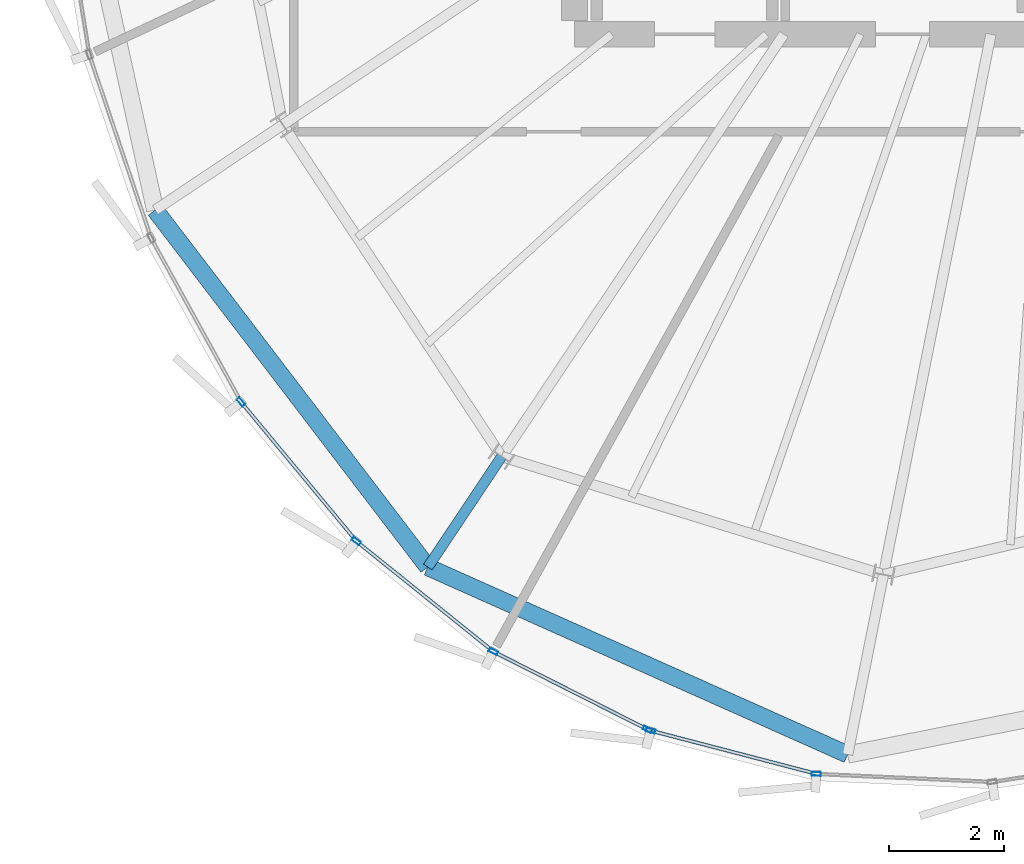
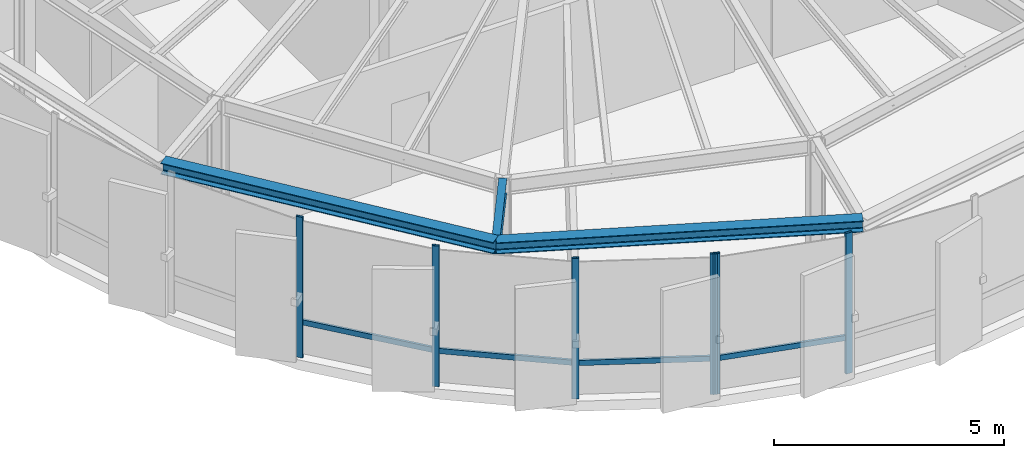
# One storey, part 2 of 27: 10 members, 3 beams, 2 elements without a shape of their own.
"""IFC4 building model written with IfcOpenShell, lengths in metres."""

from ifc_helpers import new_model, si_unit, direction, frame, origin, origin_2d, place, context, subcontext, project, spatial, hollow_rectangle, i_section, extrude, source, transform, mapped, material, layer, layer_set, material_profile, profile_set, type_object, element, aggregate, save


model = new_model("IFC4")

# Units and contexts
model_context = context("Model", 3, precision=1e-05, world=origin(), true_north=direction((0.0, 1.0)))
body_context = subcontext(model_context, "Body", "Model", "MODEL_VIEW")
ifc_project = project(units=[si_unit("LENGTHUNIT", "METRE"), si_unit("AREAUNIT", "SQUARE_METRE"), si_unit("VOLUMEUNIT", "CUBIC_METRE"), si_unit("PLANEANGLEUNIT", "RADIAN"), si_unit("MASSUNIT", "GRAM", prefix="KILO"), si_unit("THERMODYNAMICTEMPERATUREUNIT", "KELVIN")], contexts=[model_context])

# Site, building, storey
site_placement = place(None, origin())
site = spatial("IfcSite", under=ifc_project, at=site_placement, CompositionType="ELEMENT")
building_placement = place(site_placement, origin())
building = spatial("IfcBuilding", under=site, at=building_placement, Name="Kethvar Cultural Tower", CompositionType="ELEMENT")
storey_placement = place(building_placement, frame((0.0, 0.0, 312.300048828125)))
storey = spatial("IfcBuildingStorey", under=building, at=storey_placement, Name="L83", CompositionType="ELEMENT", Elevation=312.300048828125)

# Beams
ifc_material_1 = material(Name="Steel S355J2", Category="steel")
ifc_material_profile_1 = material_profile(ifc_material_1, i_section(OverallWidth=0.179931640625, OverallDepth=0.39990234375, WebThickness=0.008544921875, FlangeThickness=0.013427734375, FilletRadius=0.02099609375, at=origin_2d()), Name="Steel S355J2 — IPE400")
ifc_profile_set_1 = profile_set([ifc_material_profile_1], Name="Steel S355J2 — IPE400")
beam_type_1 = type_object("IfcBeamType", Name="BM-IPE400", PredefinedType="BEAM", material=ifc_profile_set_1)
shared_shape_1 = source(origin(), body_context, "Body", "SweptSolid", [
    extrude(i_section(OverallWidth=0.179931640625, OverallDepth=0.39990234375, WebThickness=0.008544921875, FlangeThickness=0.013427734375, FilletRadius=0.02099609375, at=origin_2d()), origin(), (0.0, 0.0, 1.0), 2.3193359375),
])
beam_1_placement = place(storey_placement, frame((36.731201171875, 12.73095703125, 3.532958984375), z_axis=(-0.555574376595, -0.831466843639, 0.0), x_axis=(0.831466843639, -0.555574376595, 0.0)))
element("IfcBeam", 1, at=beam_1_placement, inside=storey, type_object=beam_type_1, Name="L83 Perimeter Cantilever Beam RC-11", PredefinedType="BEAM", context=body_context, shape_type="MappedRepresentation", body=[
    mapped(shared_shape_1, transform((0.0, 0.0, 0.0), scale=1.0)),
])
ifc_material_profile_2 = material_profile(ifc_material_1, i_section(OverallWidth=0.300048828125, OverallDepth=0.300048828125, WebThickness=0.010986328125, FlangeThickness=0.01904296875, FilletRadius=0.027099609375, at=origin_2d()), Name="Steel S355J2 — HEB300")
ifc_profile_set_2 = profile_set([ifc_material_profile_2], Name="Steel S355J2 — HEB300")
beam_type_2 = type_object("IfcBeamType", Name="BM-SP300", PredefinedType="SPANDREL", material=ifc_profile_set_2)
shared_shape_2 = source(origin(), body_context, "Body", "SweptSolid", [
    extrude(i_section(OverallWidth=0.300048828125, OverallDepth=0.300048828125, WebThickness=0.010986328125, FlangeThickness=0.01904296875, FilletRadius=0.027099609375, at=origin_2d()), origin(), (0.0, 0.0, 1.0), 7.8388671875),
])
beam_2_placement = place(storey_placement, frame((30.68505859375, 17.032470703125, 3.5830078125), z_axis=(0.606923976329, -0.794759892645, 0.0), x_axis=(0.794759892645, 0.606923976329, 0.0)))
element("IfcBeam", 2, at=beam_2_placement, inside=storey, type_object=beam_type_2, Name="L83 Perimeter Spandrel Beam SP-10", PredefinedType="SPANDREL", context=body_context, shape_type="MappedRepresentation", body=[
    mapped(shared_shape_2, transform((0.0, 0.0, 0.0), scale=1.0)),
])
shared_shape_3 = source(origin(), body_context, "Body", "SweptSolid", [
    extrude(i_section(OverallWidth=0.300048828125, OverallDepth=0.300048828125, WebThickness=0.010986328125, FlangeThickness=0.01904296875, FilletRadius=0.027099609375, at=origin_2d()), origin(), (0.0, 0.0, 1.0), 8.0224609375),
])
beam_3_placement = place(storey_placement, frame((35.442626953125, 10.802490234375, 3.5830078125), z_axis=(0.913171661118, -0.407575167706, 0.0), x_axis=(0.407575167706, 0.913171661118, 0.0)))
element("IfcBeam", 3, at=beam_3_placement, inside=storey, type_object=beam_type_2, Name="L83 Perimeter Spandrel Beam SP-11", PredefinedType="SPANDREL", context=body_context, shape_type="MappedRepresentation", body=[
    mapped(shared_shape_3, transform((0.0, 0.0, 0.0), scale=1.0)),
])

# Curtain wall, members
ifc_material_2 = material(Name="Aluminium 6063-T6", Category="aluminium")
ifc_layer = layer(ifc_material_2, 0.179931640625, Name="Aluminium 6063-T6", Category="aluminium")
ifc_layer_set = layer_set([ifc_layer], Name="Aluminium 6063-T6 (180 mm)")
curtain_wall_type = type_object("IfcCurtainWallType", Name="CW-SYS-06-CROWN", PredefinedType="NOTDEFINED", material=ifc_layer_set)
curtain_wall_1_placement = place(storey_placement, origin())
curtain_wall_1 = element("IfcCurtainWall", 4, at=curtain_wall_1_placement, inside=storey, type_object=curtain_wall_type, Name="L83 Curtain Wall Run 03", PredefinedType="NOTDEFINED")
ifc_material_profile_3 = material_profile(ifc_material_2, hollow_rectangle(XDim=0.06494140625, YDim=0.159912109375, WallThickness=0.0048828125, at=origin_2d()), Name="Aluminium 6063-T6 — RHS160x65x5")
ifc_profile_set_3 = profile_set([ifc_material_profile_3], Name="Aluminium 6063-T6 — RHS160x65x5")
member_type_1 = type_object("IfcMemberType", Name="CW-SYS-06-CROWN-MUL", PredefinedType="MULLION", material=ifc_profile_set_3)
shared_shape_4 = source(origin(), body_context, "Body", "SweptSolid", [
    extrude(hollow_rectangle(XDim=0.06494140625, YDim=0.159912109375, WallThickness=0.0048828125, at=origin_2d()), origin(), (0.0, 0.0, 1.0), 3.73486328125),
])
member_1_placement = place(storey_placement, frame((32.18212890625, 13.68505859375, 0.0), z_axis=(0.0, 0.0, 1.0), x_axis=(0.76975619028, 0.638338004137, 0.0)))
member_1 = element("IfcMember", 5, at=member_1_placement, type_object=member_type_1, Name="CW-L83-R03 Mullion 4", PredefinedType="MULLION", context=body_context, shape_type="MappedRepresentation", body=[
    mapped(shared_shape_4, transform((0.0, 0.0, 0.0), scale=1.0)),
])
member_2_placement = place(storey_placement, frame((34.19384765625, 11.255126953125, 0.0), z_axis=(0.0, 0.0, 1.0), x_axis=(0.626617413282, 0.779327028513, 0.0)))
member_2 = element("IfcMember", 6, at=member_2_placement, type_object=member_type_1, Name="CW-L83-R03 Mullion 5", PredefinedType="MULLION", context=body_context, shape_type="MappedRepresentation", body=[
    mapped(shared_shape_4, transform((0.0, 0.0, 0.0), scale=1.0)),
])
member_3_placement = place(storey_placement, frame((36.587158203125, 9.32763671875, 0.0), z_axis=(0.0, 0.0, 1.0), x_axis=(0.450752907804, 0.892648764132, 0.0)))
member_3 = element("IfcMember", 7, at=member_3_placement, type_object=member_type_1, Name="CW-L83-R03 Mullion 6", PredefinedType="MULLION", context=body_context, shape_type="MappedRepresentation", body=[
    mapped(shared_shape_4, transform((0.0, 0.0, 0.0), scale=1.0)),
])
member_4_placement = place(storey_placement, frame((39.275634765625, 7.97021484375, 0.0), z_axis=(0.0, 0.0, 1.0), x_axis=(0.450752907804, 0.892648764132, 0.0)))
member_4 = element("IfcMember", 8, at=member_4_placement, type_object=member_type_1, Name="CW-L83-R03 Mullion 7", PredefinedType="MULLION", context=body_context, shape_type="MappedRepresentation", body=[
    mapped(shared_shape_4, transform((0.0, 0.0, 0.0), scale=1.0)),
])

curtain_wall_2_placement = place(storey_placement, origin())
curtain_wall_2 = element("IfcCurtainWall", 9, at=curtain_wall_2_placement, inside=storey, type_object=curtain_wall_type, Name="L83 Curtain Wall Run 04", PredefinedType="NOTDEFINED")
member_5_placement = place(storey_placement, frame((39.330322265625, 7.949462890625, 0.0), z_axis=(0.0, 0.0, 1.0), x_axis=(0.252221362534, 0.967669563581, 0.0)))
member_5 = element("IfcMember", 10, at=member_5_placement, type_object=member_type_1, Name="CW-L83-R04 Mullion 1", PredefinedType="MULLION", context=body_context, shape_type="MappedRepresentation", body=[
    mapped(shared_shape_4, transform((0.0, 0.0, 0.0), scale=1.0)),
])
member_6_placement = place(storey_placement, frame((42.219970703125, 7.193603515625, 0.0), z_axis=(0.0, 0.0, 1.0), x_axis=(0.045345552797, 0.998971361372, 0.0)))
member_6 = element("IfcMember", 11, at=member_6_placement, type_object=member_type_1, Name="CW-L83-R04 Mullion 2", PredefinedType="MULLION", context=body_context, shape_type="MappedRepresentation", body=[
    mapped(shared_shape_4, transform((0.0, 0.0, 0.0), scale=1.0)),
])

# Member
ifc_material_profile_4 = material_profile(ifc_material_2, hollow_rectangle(XDim=0.06005859375, YDim=0.139892578125, WallThickness=0.0048828125, at=origin_2d()), Name="Aluminium 6063-T6 — RHS140x60x5")
ifc_profile_set_4 = profile_set([ifc_material_profile_4], Name="Aluminium 6063-T6 — RHS140x60x5")
member_type_2 = type_object("IfcMemberType", Name="CW-SYS-06-CROWN-TRN", PredefinedType="USERDEFINED", material=ifc_profile_set_4)
shared_shape_5 = source(origin(), body_context, "Body", "SweptSolid", [
    extrude(hollow_rectangle(XDim=0.06005859375, YDim=0.139892578125, WallThickness=0.0048828125, at=origin_2d()), origin(), (0.0, 0.0, 1.0), 3.084716796875),
])
member_7_placement = place(storey_placement, frame((32.2119140625, 13.64892578125, 0.949951171875), z_axis=(0.638361031844, -0.769737093444, 0.0), x_axis=(0.769737093444, 0.638361031844, 0.0)))
member_7 = element("IfcMember", 12, at=member_7_placement, type_object=member_type_2, Name="CW-L83-R03 Transom 4", ObjectType="TRANSOM", PredefinedType="USERDEFINED", context=body_context, shape_type="MappedRepresentation", body=[
    mapped(shared_shape_5, transform((0.0, 0.0, 0.0), scale=1.0)),
])

shared_shape_6 = source(origin(), body_context, "Body", "SweptSolid", [
    extrude(hollow_rectangle(XDim=0.06005859375, YDim=0.139892578125, WallThickness=0.0048828125, at=origin_2d()), origin(), (0.0, 0.0, 1.0), 3.00439453125),
])
member_8_placement = place(storey_placement, frame((34.23046875, 11.225830078125, 0.949951171875), z_axis=(0.779320422775, -0.626625628782, 0.0), x_axis=(0.626625628782, 0.779320422775, 0.0)))
member_8 = element("IfcMember", 13, at=member_8_placement, type_object=member_type_2, Name="CW-L83-R03 Transom 5", ObjectType="TRANSOM", PredefinedType="USERDEFINED", context=body_context, shape_type="MappedRepresentation", body=[
    mapped(shared_shape_6, transform((0.0, 0.0, 0.0), scale=1.0)),
])

shared_shape_7 = source(origin(), body_context, "Body", "SweptSolid", [
    extrude(hollow_rectangle(XDim=0.06005859375, YDim=0.139892578125, WallThickness=0.0048828125, at=origin_2d()), origin(), (0.0, 0.0, 1.0), 2.960205078125),
])
member_9_placement = place(storey_placement, frame((36.62890625, 9.306396484375, 0.949951171875), z_axis=(0.89267195889, -0.450706971114, 0.0), x_axis=(0.450706971114, 0.89267195889, 0.0)))
member_9 = element("IfcMember", 14, at=member_9_placement, type_object=member_type_2, Name="CW-L83-R03 Transom 6", ObjectType="TRANSOM", PredefinedType="USERDEFINED", context=body_context, shape_type="MappedRepresentation", body=[
    mapped(shared_shape_7, transform((0.0, 0.0, 0.0), scale=1.0)),
])

aggregate(curtain_wall_1, [member_1, member_2, member_3, member_4, member_7, member_8, member_9])

shared_shape_8 = source(origin(), body_context, "Body", "SweptSolid", [
    extrude(hollow_rectangle(XDim=0.06005859375, YDim=0.139892578125, WallThickness=0.0048828125, at=origin_2d()), origin(), (0.0, 0.0, 1.0), 2.960693359375),
])
member_10_placement = place(storey_placement, frame((39.334716796875, 7.9482421875, 0.949951171875), z_axis=(0.967663666944, -0.252243984421, 0.0), x_axis=(0.252243984421, 0.967663666944, 0.0)))
member_10 = element("IfcMember", 15, at=member_10_placement, type_object=member_type_2, Name="CW-L83-R04 Transom 1", ObjectType="TRANSOM", PredefinedType="USERDEFINED", context=body_context, shape_type="MappedRepresentation", body=[
    mapped(shared_shape_8, transform((0.0, 0.0, 0.0), scale=1.0)),
])

aggregate(curtain_wall_2, [member_5, member_6, member_10])

save(model, "model.ifc")
